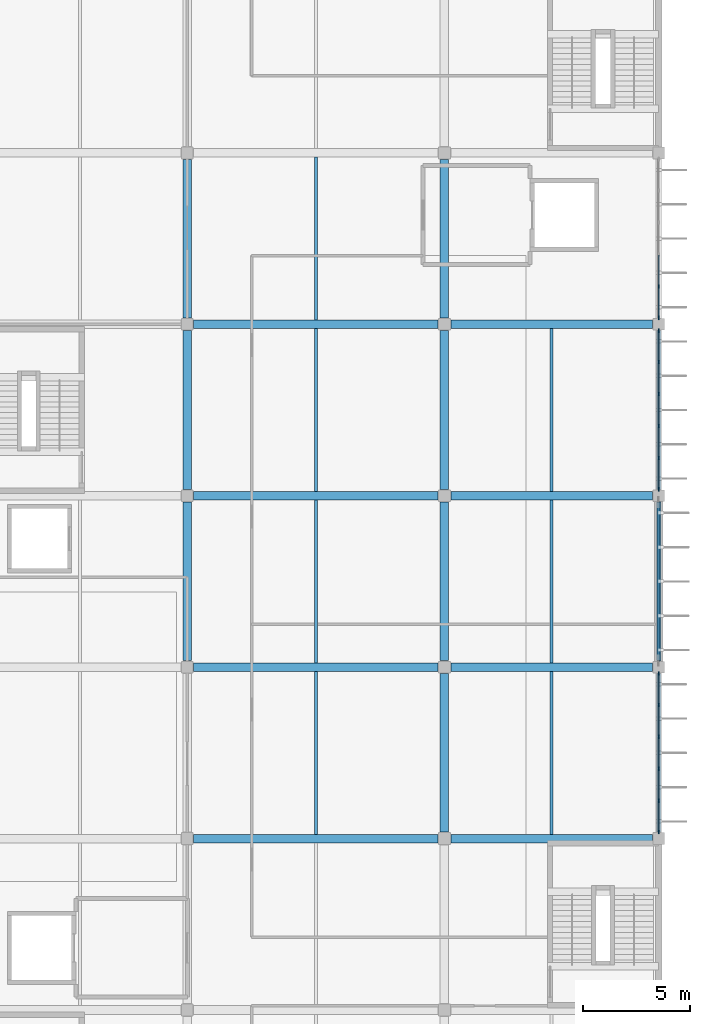
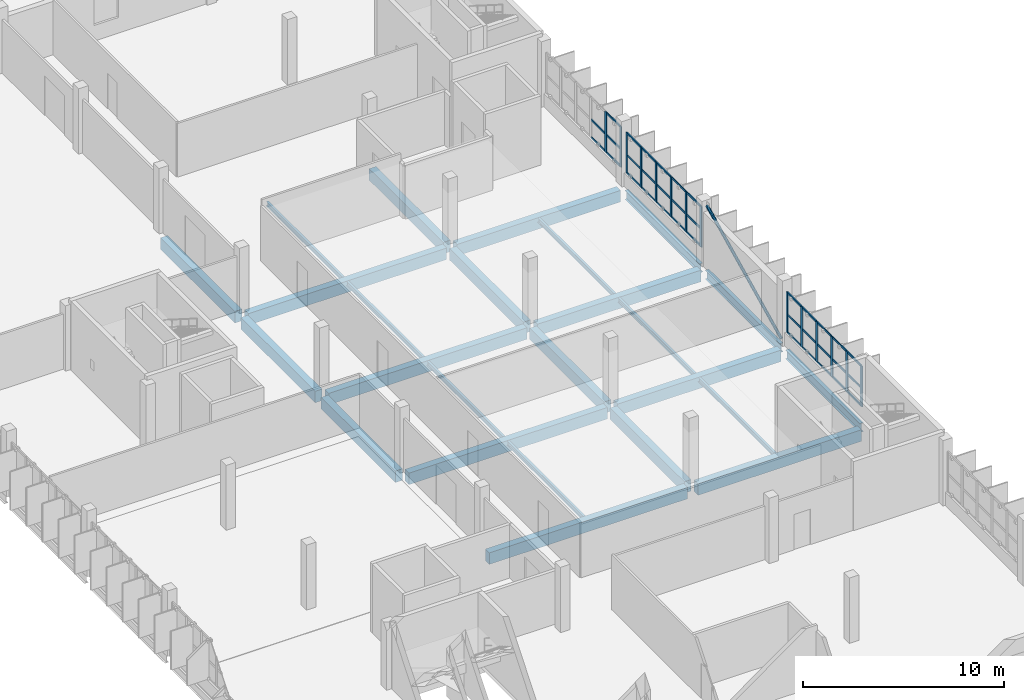
# One storey, part 16 of 38: 50 members, 25 beams, 3 elements without a shape of their own.
"""IFC4 building model written with IfcOpenShell, lengths in metres."""

from ifc_helpers import new_model, si_unit, direction, frame, origin, origin_2d, place, context, subcontext, project, spatial, rectangle, hollow_circle, i_section, extrude, material, layer, layer_set, material_profile, profile_set, type_object, element, aggregate, save


model = new_model("IFC4")

# Units and contexts
model_context = context("Model", 3, precision=1e-05, world=origin(), true_north=direction((0.0, 1.0)))
body_context = subcontext(model_context, "Body", "Model", "MODEL_VIEW")
ifc_project = project(units=[si_unit("LENGTHUNIT", "METRE"), si_unit("AREAUNIT", "SQUARE_METRE"), si_unit("VOLUMEUNIT", "CUBIC_METRE"), si_unit("PLANEANGLEUNIT", "RADIAN"), si_unit("MASSUNIT", "GRAM", prefix="KILO")], contexts=[model_context])

# Site, building, storey
site_placement = place(None, origin())
site = spatial("IfcSite", under=ifc_project, at=site_placement, CompositionType="ELEMENT")
building_placement = place(site_placement, origin())
building = spatial("IfcBuilding", under=site, at=building_placement, Name="Drelvana Railside Aquatics Centre", CompositionType="ELEMENT")
storey_placement = place(building_placement, frame((0.0, 0.0, 14.39990234375)))
storey = spatial("IfcBuildingStorey", under=building, at=storey_placement, Name="L03", CompositionType="ELEMENT", Elevation=14.39990234375)

# Curtain wall, members
ifc_material_1 = material(Name="Bronze-anodised aluminium curtain wall", Category="aluminium")
ifc_layer = layer(ifc_material_1, 0.175048828125, Name="Bronze-anodised aluminium curtain wall")
ifc_layer_set = layer_set([ifc_layer], Name="Bronze-anodised aluminium curtain wall")
curtain_wall_type = type_object("IfcCurtainWallType", Name="CW-Z6-WING", PredefinedType="NOTDEFINED", material=ifc_layer_set)
curtain_wall_1_placement = place(storey_placement, origin())
curtain_wall_1 = element("IfcCurtainWall", 1, at=curtain_wall_1_placement, inside=storey, type_object=curtain_wall_type, Name="Curtain wall CW-06-173", PredefinedType="NOTDEFINED")
ifc_material_2 = material(Name="Bronze-anodised aluminium 6063-T6", Category="aluminium")
ifc_material_profile_1 = material_profile(ifc_material_2, rectangle(XDim=0.06494140625, YDim=0.175048828125, at=origin_2d()), Name="ALU-M 65x175")
ifc_profile_set_1 = profile_set([ifc_material_profile_1], Name="Bronze-anodised aluminium 6063-T6")
member_type_1 = type_object("IfcMemberType", Name="CW-Z6-WING-MUL", PredefinedType="MULLION", material=ifc_profile_set_1)
member_1_placement = place(storey_placement, frame((184.0, 40.301513671875, 0.794189453125), z_axis=(0.0, 0.0, 1.0), x_axis=(-1.0, 0.0, 0.0)))
member_1 = element("IfcMember", 2, at=member_1_placement, type_object=member_type_1, Name="CW-06 mullion 1", PredefinedType="MULLION", context=body_context, shape_type="SweptSolid", body=[
    extrude(rectangle(XDim=0.06494140625, YDim=0.175048828125, at=origin_2d()), origin(), (0.0, 0.0, 1.0), 2.455810546875),
])
member_2_placement = place(storey_placement, frame((184.0, 41.761474609375, 0.794189453125), z_axis=(0.0, 0.0, 1.0), x_axis=(-1.0, 0.0, 0.0)))
member_2 = element("IfcMember", 3, at=member_2_placement, type_object=member_type_1, Name="CW-06 mullion 2", PredefinedType="MULLION", context=body_context, shape_type="SweptSolid", body=[
    extrude(rectangle(XDim=0.06494140625, YDim=0.175048828125, at=origin_2d()), origin(), (0.0, 0.0, 1.0), 2.455810546875),
])
member_3_placement = place(storey_placement, frame((184.0, 43.25390625, 0.794189453125), z_axis=(0.0, 0.0, 1.0), x_axis=(-1.0, 0.0, 0.0)))
member_3 = element("IfcMember", 4, at=member_3_placement, type_object=member_type_1, Name="CW-06 mullion 3", PredefinedType="MULLION", context=body_context, shape_type="SweptSolid", body=[
    extrude(rectangle(XDim=0.06494140625, YDim=0.175048828125, at=origin_2d()), origin(), (0.0, 0.0, 1.0), 2.455810546875),
])
member_4_placement = place(storey_placement, frame((184.0, 44.74609375, 0.794189453125), z_axis=(0.0, 0.0, 1.0), x_axis=(-1.0, 0.0, 0.0)))
member_4 = element("IfcMember", 5, at=member_4_placement, type_object=member_type_1, Name="CW-06 mullion 4", PredefinedType="MULLION", context=body_context, shape_type="SweptSolid", body=[
    extrude(rectangle(XDim=0.06494140625, YDim=0.175048828125, at=origin_2d()), origin(), (0.0, 0.0, 1.0), 2.455810546875),
])
member_5_placement = place(storey_placement, frame((184.0, 46.238525390625, 0.794189453125), z_axis=(0.0, 0.0, 1.0), x_axis=(-1.0, 0.0, 0.0)))
member_5 = element("IfcMember", 6, at=member_5_placement, type_object=member_type_1, Name="CW-06 mullion 5", PredefinedType="MULLION", context=body_context, shape_type="SweptSolid", body=[
    extrude(rectangle(XDim=0.06494140625, YDim=0.175048828125, at=origin_2d()), origin(), (0.0, 0.0, 1.0), 2.455810546875),
])
member_6_placement = place(storey_placement, frame((184.0, 47.698486328125, 0.794189453125), z_axis=(0.0, 0.0, 1.0), x_axis=(-1.0, 0.0, 0.0)))
member_6 = element("IfcMember", 7, at=member_6_placement, type_object=member_type_1, Name="CW-06 mullion 6", PredefinedType="MULLION", context=body_context, shape_type="SweptSolid", body=[
    extrude(rectangle(XDim=0.06494140625, YDim=0.175048828125, at=origin_2d()), origin(), (0.0, 0.0, 1.0), 2.455810546875),
])

curtain_wall_2_placement = place(storey_placement, origin())
curtain_wall_2 = element("IfcCurtainWall", 8, at=curtain_wall_2_placement, inside=storey, type_object=curtain_wall_type, Name="Curtain wall CW-06-178", PredefinedType="NOTDEFINED")
member_7_placement = place(storey_placement, frame((184.0, 56.301513671875, 0.794189453125), z_axis=(0.0, 0.0, 1.0), x_axis=(-1.0, 0.0, 0.0)))
member_7 = element("IfcMember", 9, at=member_7_placement, type_object=member_type_1, Name="CW-06 mullion 1", PredefinedType="MULLION", context=body_context, shape_type="SweptSolid", body=[
    extrude(rectangle(XDim=0.06494140625, YDim=0.175048828125, at=origin_2d()), origin(), (0.0, 0.0, 1.0), 2.455810546875),
])
member_8_placement = place(storey_placement, frame((184.0, 57.761474609375, 0.794189453125), z_axis=(0.0, 0.0, 1.0), x_axis=(-1.0, 0.0, 0.0)))
member_8 = element("IfcMember", 10, at=member_8_placement, type_object=member_type_1, Name="CW-06 mullion 2", PredefinedType="MULLION", context=body_context, shape_type="SweptSolid", body=[
    extrude(rectangle(XDim=0.06494140625, YDim=0.175048828125, at=origin_2d()), origin(), (0.0, 0.0, 1.0), 2.455810546875),
])
member_9_placement = place(storey_placement, frame((184.0, 59.25390625, 0.794189453125), z_axis=(0.0, 0.0, 1.0), x_axis=(-1.0, 0.0, 0.0)))
member_9 = element("IfcMember", 11, at=member_9_placement, type_object=member_type_1, Name="CW-06 mullion 3", PredefinedType="MULLION", context=body_context, shape_type="SweptSolid", body=[
    extrude(rectangle(XDim=0.06494140625, YDim=0.175048828125, at=origin_2d()), origin(), (0.0, 0.0, 1.0), 2.455810546875),
])
member_10_placement = place(storey_placement, frame((184.0, 60.74609375, 0.794189453125), z_axis=(0.0, 0.0, 1.0), x_axis=(-1.0, 0.0, 0.0)))
member_10 = element("IfcMember", 12, at=member_10_placement, type_object=member_type_1, Name="CW-06 mullion 4", PredefinedType="MULLION", context=body_context, shape_type="SweptSolid", body=[
    extrude(rectangle(XDim=0.06494140625, YDim=0.175048828125, at=origin_2d()), origin(), (0.0, 0.0, 1.0), 2.455810546875),
])
member_11_placement = place(storey_placement, frame((184.0, 62.238525390625, 0.794189453125), z_axis=(0.0, 0.0, 1.0), x_axis=(-1.0, 0.0, 0.0)))
member_11 = element("IfcMember", 13, at=member_11_placement, type_object=member_type_1, Name="CW-06 mullion 5", PredefinedType="MULLION", context=body_context, shape_type="SweptSolid", body=[
    extrude(rectangle(XDim=0.06494140625, YDim=0.175048828125, at=origin_2d()), origin(), (0.0, 0.0, 1.0), 2.455810546875),
])
member_12_placement = place(storey_placement, frame((184.0, 63.698486328125, 0.794189453125), z_axis=(0.0, 0.0, 1.0), x_axis=(-1.0, 0.0, 0.0)))
member_12 = element("IfcMember", 14, at=member_12_placement, type_object=member_type_1, Name="CW-06 mullion 6", PredefinedType="MULLION", context=body_context, shape_type="SweptSolid", body=[
    extrude(rectangle(XDim=0.06494140625, YDim=0.175048828125, at=origin_2d()), origin(), (0.0, 0.0, 1.0), 2.455810546875),
])

curtain_wall_3_placement = place(storey_placement, origin())
curtain_wall_3 = element("IfcCurtainWall", 15, at=curtain_wall_3_placement, inside=storey, type_object=curtain_wall_type, Name="Curtain wall CW-06-182", PredefinedType="NOTDEFINED")
member_13_placement = place(storey_placement, frame((184.0, 64.301513671875, 0.794189453125), z_axis=(0.0, 0.0, 1.0), x_axis=(-1.0, 0.0, 0.0)))
member_13 = element("IfcMember", 16, at=member_13_placement, type_object=member_type_1, Name="CW-06 mullion 1", PredefinedType="MULLION", context=body_context, shape_type="SweptSolid", body=[
    extrude(rectangle(XDim=0.06494140625, YDim=0.175048828125, at=origin_2d()), origin(), (0.0, 0.0, 1.0), 2.455810546875),
])
member_14_placement = place(storey_placement, frame((184.0, 65.761474609375, 0.794189453125), z_axis=(0.0, 0.0, 1.0), x_axis=(-1.0, 0.0, 0.0)))
member_14 = element("IfcMember", 17, at=member_14_placement, type_object=member_type_1, Name="CW-06 mullion 2", PredefinedType="MULLION", context=body_context, shape_type="SweptSolid", body=[
    extrude(rectangle(XDim=0.06494140625, YDim=0.175048828125, at=origin_2d()), origin(), (0.0, 0.0, 1.0), 2.455810546875),
])

# Member
ifc_material_profile_2 = material_profile(ifc_material_2, rectangle(XDim=0.1201171875, YDim=0.06005859375, at=origin_2d()), Name="ALU-T 60x120")
ifc_profile_set_2 = profile_set([ifc_material_profile_2], Name="Bronze-anodised aluminium 6063-T6")
member_type_2 = type_object("IfcMemberType", Name="CW-Z6-WING-TRN", PredefinedType="USERDEFINED", material=ifc_profile_set_2)
member_15_placement = place(storey_placement, frame((184.0, 40.3291015625, 0.82421875), z_axis=(0.0, 1.0, 0.0), x_axis=(0.0, 0.0, 1.0)))
member_15 = element("IfcMember", 18, at=member_15_placement, type_object=member_type_2, Name="CW-06 transom 1.1", ObjectType="TRANSOM", PredefinedType="USERDEFINED", context=body_context, shape_type="SweptSolid", body=[
    extrude(rectangle(XDim=0.1201171875, YDim=0.06005859375, at=origin_2d()), origin(), (0.0, 0.0, 1.0), 1.40478515625),
])

member_16_placement = place(storey_placement, frame((184.0, 40.3291015625, 1.899169921875), z_axis=(0.0, 1.0, 0.0), x_axis=(0.0, 0.0, 1.0)))
member_16 = element("IfcMember", 19, at=member_16_placement, type_object=member_type_2, Name="CW-06 transom 1.2", ObjectType="TRANSOM", PredefinedType="USERDEFINED", context=body_context, shape_type="SweptSolid", body=[
    extrude(rectangle(XDim=0.1201171875, YDim=0.06005859375, at=origin_2d()), origin(), (0.0, 0.0, 1.0), 1.40478515625),
])

member_17_placement = place(storey_placement, frame((184.0, 40.3291015625, 3.22021484375), z_axis=(0.0, 1.0, 0.0), x_axis=(0.0, 0.0, 1.0)))
member_17 = element("IfcMember", 20, at=member_17_placement, type_object=member_type_2, Name="CW-06 transom 1.3", ObjectType="TRANSOM", PredefinedType="USERDEFINED", context=body_context, shape_type="SweptSolid", body=[
    extrude(rectangle(XDim=0.1201171875, YDim=0.06005859375, at=origin_2d()), origin(), (0.0, 0.0, 1.0), 1.40478515625),
])

member_18_placement = place(storey_placement, frame((184.0, 41.788818359375, 0.82421875), z_axis=(0.0, 1.0, 0.0), x_axis=(0.0, 0.0, 1.0)))
member_18 = element("IfcMember", 21, at=member_18_placement, type_object=member_type_2, Name="CW-06 transom 2.1", ObjectType="TRANSOM", PredefinedType="USERDEFINED", context=body_context, shape_type="SweptSolid", body=[
    extrude(rectangle(XDim=0.1201171875, YDim=0.06005859375, at=origin_2d()), origin(), (0.0, 0.0, 1.0), 1.4375),
])

member_19_placement = place(storey_placement, frame((184.0, 41.788818359375, 1.899169921875), z_axis=(0.0, 1.0, 0.0), x_axis=(0.0, 0.0, 1.0)))
member_19 = element("IfcMember", 22, at=member_19_placement, type_object=member_type_2, Name="CW-06 transom 2.2", ObjectType="TRANSOM", PredefinedType="USERDEFINED", context=body_context, shape_type="SweptSolid", body=[
    extrude(rectangle(XDim=0.1201171875, YDim=0.06005859375, at=origin_2d()), origin(), (0.0, 0.0, 1.0), 1.4375),
])

member_20_placement = place(storey_placement, frame((184.0, 41.788818359375, 3.22021484375), z_axis=(0.0, 1.0, 0.0), x_axis=(0.0, 0.0, 1.0)))
member_20 = element("IfcMember", 23, at=member_20_placement, type_object=member_type_2, Name="CW-06 transom 2.3", ObjectType="TRANSOM", PredefinedType="USERDEFINED", context=body_context, shape_type="SweptSolid", body=[
    extrude(rectangle(XDim=0.1201171875, YDim=0.06005859375, at=origin_2d()), origin(), (0.0, 0.0, 1.0), 1.4375),
])

member_21_placement = place(storey_placement, frame((184.0, 43.28125, 0.82421875), z_axis=(0.0, 1.0, 0.0), x_axis=(0.0, 0.0, 1.0)))
member_21 = element("IfcMember", 24, at=member_21_placement, type_object=member_type_2, Name="CW-06 transom 3.1", ObjectType="TRANSOM", PredefinedType="USERDEFINED", context=body_context, shape_type="SweptSolid", body=[
    extrude(rectangle(XDim=0.1201171875, YDim=0.06005859375, at=origin_2d()), origin(), (0.0, 0.0, 1.0), 1.4375),
])

member_22_placement = place(storey_placement, frame((184.0, 43.28125, 1.899169921875), z_axis=(0.0, 1.0, 0.0), x_axis=(0.0, 0.0, 1.0)))
member_22 = element("IfcMember", 25, at=member_22_placement, type_object=member_type_2, Name="CW-06 transom 3.2", ObjectType="TRANSOM", PredefinedType="USERDEFINED", context=body_context, shape_type="SweptSolid", body=[
    extrude(rectangle(XDim=0.1201171875, YDim=0.06005859375, at=origin_2d()), origin(), (0.0, 0.0, 1.0), 1.4375),
])

member_23_placement = place(storey_placement, frame((184.0, 43.28125, 3.22021484375), z_axis=(0.0, 1.0, 0.0), x_axis=(0.0, 0.0, 1.0)))
member_23 = element("IfcMember", 26, at=member_23_placement, type_object=member_type_2, Name="CW-06 transom 3.3", ObjectType="TRANSOM", PredefinedType="USERDEFINED", context=body_context, shape_type="SweptSolid", body=[
    extrude(rectangle(XDim=0.1201171875, YDim=0.06005859375, at=origin_2d()), origin(), (0.0, 0.0, 1.0), 1.4375),
])

member_24_placement = place(storey_placement, frame((184.0, 44.773681640625, 0.82421875), z_axis=(0.0, 1.0, 0.0), x_axis=(0.0, 0.0, 1.0)))
member_24 = element("IfcMember", 27, at=member_24_placement, type_object=member_type_2, Name="CW-06 transom 4.1", ObjectType="TRANSOM", PredefinedType="USERDEFINED", context=body_context, shape_type="SweptSolid", body=[
    extrude(rectangle(XDim=0.1201171875, YDim=0.06005859375, at=origin_2d()), origin(), (0.0, 0.0, 1.0), 1.4375),
])

member_25_placement = place(storey_placement, frame((184.0, 44.773681640625, 1.899169921875), z_axis=(0.0, 1.0, 0.0), x_axis=(0.0, 0.0, 1.0)))
member_25 = element("IfcMember", 28, at=member_25_placement, type_object=member_type_2, Name="CW-06 transom 4.2", ObjectType="TRANSOM", PredefinedType="USERDEFINED", context=body_context, shape_type="SweptSolid", body=[
    extrude(rectangle(XDim=0.1201171875, YDim=0.06005859375, at=origin_2d()), origin(), (0.0, 0.0, 1.0), 1.4375),
])

member_26_placement = place(storey_placement, frame((184.0, 44.773681640625, 3.22021484375), z_axis=(0.0, 1.0, 0.0), x_axis=(0.0, 0.0, 1.0)))
member_26 = element("IfcMember", 29, at=member_26_placement, type_object=member_type_2, Name="CW-06 transom 4.3", ObjectType="TRANSOM", PredefinedType="USERDEFINED", context=body_context, shape_type="SweptSolid", body=[
    extrude(rectangle(XDim=0.1201171875, YDim=0.06005859375, at=origin_2d()), origin(), (0.0, 0.0, 1.0), 1.4375),
])

member_27_placement = place(storey_placement, frame((184.0, 46.26611328125, 0.82421875), z_axis=(0.0, 1.0, 0.0), x_axis=(0.0, 0.0, 1.0)))
member_27 = element("IfcMember", 30, at=member_27_placement, type_object=member_type_2, Name="CW-06 transom 5.1", ObjectType="TRANSOM", PredefinedType="USERDEFINED", context=body_context, shape_type="SweptSolid", body=[
    extrude(rectangle(XDim=0.1201171875, YDim=0.06005859375, at=origin_2d()), origin(), (0.0, 0.0, 1.0), 1.40478515625),
])

member_28_placement = place(storey_placement, frame((184.0, 46.26611328125, 1.899169921875), z_axis=(0.0, 1.0, 0.0), x_axis=(0.0, 0.0, 1.0)))
member_28 = element("IfcMember", 31, at=member_28_placement, type_object=member_type_2, Name="CW-06 transom 5.2", ObjectType="TRANSOM", PredefinedType="USERDEFINED", context=body_context, shape_type="SweptSolid", body=[
    extrude(rectangle(XDim=0.1201171875, YDim=0.06005859375, at=origin_2d()), origin(), (0.0, 0.0, 1.0), 1.40478515625),
])

member_29_placement = place(storey_placement, frame((184.0, 46.26611328125, 3.22021484375), z_axis=(0.0, 1.0, 0.0), x_axis=(0.0, 0.0, 1.0)))
member_29 = element("IfcMember", 32, at=member_29_placement, type_object=member_type_2, Name="CW-06 transom 5.3", ObjectType="TRANSOM", PredefinedType="USERDEFINED", context=body_context, shape_type="SweptSolid", body=[
    extrude(rectangle(XDim=0.1201171875, YDim=0.06005859375, at=origin_2d()), origin(), (0.0, 0.0, 1.0), 1.40478515625),
])

aggregate(curtain_wall_1, [member_1, member_2, member_3, member_4, member_5, member_6, member_15, member_16, member_17, member_18, member_19, member_20, member_21, member_22, member_23, member_24, member_25, member_26, member_27, member_28, member_29])

member_30_placement = place(storey_placement, frame((184.0, 56.3291015625, 0.82421875), z_axis=(0.0, 1.0, 0.0), x_axis=(0.0, 0.0, 1.0)))
member_30 = element("IfcMember", 33, at=member_30_placement, type_object=member_type_2, Name="CW-06 transom 1.1", ObjectType="TRANSOM", PredefinedType="USERDEFINED", context=body_context, shape_type="SweptSolid", body=[
    extrude(rectangle(XDim=0.1201171875, YDim=0.06005859375, at=origin_2d()), origin(), (0.0, 0.0, 1.0), 1.40478515625),
])

member_31_placement = place(storey_placement, frame((184.0, 56.3291015625, 1.899169921875), z_axis=(0.0, 1.0, 0.0), x_axis=(0.0, 0.0, 1.0)))
member_31 = element("IfcMember", 34, at=member_31_placement, type_object=member_type_2, Name="CW-06 transom 1.2", ObjectType="TRANSOM", PredefinedType="USERDEFINED", context=body_context, shape_type="SweptSolid", body=[
    extrude(rectangle(XDim=0.1201171875, YDim=0.06005859375, at=origin_2d()), origin(), (0.0, 0.0, 1.0), 1.40478515625),
])

member_32_placement = place(storey_placement, frame((184.0, 56.3291015625, 3.22021484375), z_axis=(0.0, 1.0, 0.0), x_axis=(0.0, 0.0, 1.0)))
member_32 = element("IfcMember", 35, at=member_32_placement, type_object=member_type_2, Name="CW-06 transom 1.3", ObjectType="TRANSOM", PredefinedType="USERDEFINED", context=body_context, shape_type="SweptSolid", body=[
    extrude(rectangle(XDim=0.1201171875, YDim=0.06005859375, at=origin_2d()), origin(), (0.0, 0.0, 1.0), 1.40478515625),
])

member_33_placement = place(storey_placement, frame((184.0, 57.788818359375, 0.82421875), z_axis=(0.0, 1.0, 0.0), x_axis=(0.0, 0.0, 1.0)))
member_33 = element("IfcMember", 36, at=member_33_placement, type_object=member_type_2, Name="CW-06 transom 2.1", ObjectType="TRANSOM", PredefinedType="USERDEFINED", context=body_context, shape_type="SweptSolid", body=[
    extrude(rectangle(XDim=0.1201171875, YDim=0.06005859375, at=origin_2d()), origin(), (0.0, 0.0, 1.0), 1.4375),
])

member_34_placement = place(storey_placement, frame((184.0, 57.788818359375, 1.899169921875), z_axis=(0.0, 1.0, 0.0), x_axis=(0.0, 0.0, 1.0)))
member_34 = element("IfcMember", 37, at=member_34_placement, type_object=member_type_2, Name="CW-06 transom 2.2", ObjectType="TRANSOM", PredefinedType="USERDEFINED", context=body_context, shape_type="SweptSolid", body=[
    extrude(rectangle(XDim=0.1201171875, YDim=0.06005859375, at=origin_2d()), origin(), (0.0, 0.0, 1.0), 1.4375),
])

member_35_placement = place(storey_placement, frame((184.0, 57.788818359375, 3.22021484375), z_axis=(0.0, 1.0, 0.0), x_axis=(0.0, 0.0, 1.0)))
member_35 = element("IfcMember", 38, at=member_35_placement, type_object=member_type_2, Name="CW-06 transom 2.3", ObjectType="TRANSOM", PredefinedType="USERDEFINED", context=body_context, shape_type="SweptSolid", body=[
    extrude(rectangle(XDim=0.1201171875, YDim=0.06005859375, at=origin_2d()), origin(), (0.0, 0.0, 1.0), 1.4375),
])

member_36_placement = place(storey_placement, frame((184.0, 59.28125, 0.82421875), z_axis=(0.0, 1.0, 0.0), x_axis=(0.0, 0.0, 1.0)))
member_36 = element("IfcMember", 39, at=member_36_placement, type_object=member_type_2, Name="CW-06 transom 3.1", ObjectType="TRANSOM", PredefinedType="USERDEFINED", context=body_context, shape_type="SweptSolid", body=[
    extrude(rectangle(XDim=0.1201171875, YDim=0.06005859375, at=origin_2d()), origin(), (0.0, 0.0, 1.0), 1.4375),
])

member_37_placement = place(storey_placement, frame((184.0, 59.28125, 1.899169921875), z_axis=(0.0, 1.0, 0.0), x_axis=(0.0, 0.0, 1.0)))
member_37 = element("IfcMember", 40, at=member_37_placement, type_object=member_type_2, Name="CW-06 transom 3.2", ObjectType="TRANSOM", PredefinedType="USERDEFINED", context=body_context, shape_type="SweptSolid", body=[
    extrude(rectangle(XDim=0.1201171875, YDim=0.06005859375, at=origin_2d()), origin(), (0.0, 0.0, 1.0), 1.4375),
])

member_38_placement = place(storey_placement, frame((184.0, 59.28125, 3.22021484375), z_axis=(0.0, 1.0, 0.0), x_axis=(0.0, 0.0, 1.0)))
member_38 = element("IfcMember", 41, at=member_38_placement, type_object=member_type_2, Name="CW-06 transom 3.3", ObjectType="TRANSOM", PredefinedType="USERDEFINED", context=body_context, shape_type="SweptSolid", body=[
    extrude(rectangle(XDim=0.1201171875, YDim=0.06005859375, at=origin_2d()), origin(), (0.0, 0.0, 1.0), 1.4375),
])

member_39_placement = place(storey_placement, frame((184.0, 60.773681640625, 0.82421875), z_axis=(0.0, 1.0, 0.0), x_axis=(0.0, 0.0, 1.0)))
member_39 = element("IfcMember", 42, at=member_39_placement, type_object=member_type_2, Name="CW-06 transom 4.1", ObjectType="TRANSOM", PredefinedType="USERDEFINED", context=body_context, shape_type="SweptSolid", body=[
    extrude(rectangle(XDim=0.1201171875, YDim=0.06005859375, at=origin_2d()), origin(), (0.0, 0.0, 1.0), 1.4375),
])

member_40_placement = place(storey_placement, frame((184.0, 60.773681640625, 1.899169921875), z_axis=(0.0, 1.0, 0.0), x_axis=(0.0, 0.0, 1.0)))
member_40 = element("IfcMember", 43, at=member_40_placement, type_object=member_type_2, Name="CW-06 transom 4.2", ObjectType="TRANSOM", PredefinedType="USERDEFINED", context=body_context, shape_type="SweptSolid", body=[
    extrude(rectangle(XDim=0.1201171875, YDim=0.06005859375, at=origin_2d()), origin(), (0.0, 0.0, 1.0), 1.4375),
])

member_41_placement = place(storey_placement, frame((184.0, 60.773681640625, 3.22021484375), z_axis=(0.0, 1.0, 0.0), x_axis=(0.0, 0.0, 1.0)))
member_41 = element("IfcMember", 44, at=member_41_placement, type_object=member_type_2, Name="CW-06 transom 4.3", ObjectType="TRANSOM", PredefinedType="USERDEFINED", context=body_context, shape_type="SweptSolid", body=[
    extrude(rectangle(XDim=0.1201171875, YDim=0.06005859375, at=origin_2d()), origin(), (0.0, 0.0, 1.0), 1.4375),
])

member_42_placement = place(storey_placement, frame((184.0, 62.26611328125, 0.82421875), z_axis=(0.0, 1.0, 0.0), x_axis=(0.0, 0.0, 1.0)))
member_42 = element("IfcMember", 45, at=member_42_placement, type_object=member_type_2, Name="CW-06 transom 5.1", ObjectType="TRANSOM", PredefinedType="USERDEFINED", context=body_context, shape_type="SweptSolid", body=[
    extrude(rectangle(XDim=0.1201171875, YDim=0.06005859375, at=origin_2d()), origin(), (0.0, 0.0, 1.0), 1.40478515625),
])

member_43_placement = place(storey_placement, frame((184.0, 62.26611328125, 1.899169921875), z_axis=(0.0, 1.0, 0.0), x_axis=(0.0, 0.0, 1.0)))
member_43 = element("IfcMember", 46, at=member_43_placement, type_object=member_type_2, Name="CW-06 transom 5.2", ObjectType="TRANSOM", PredefinedType="USERDEFINED", context=body_context, shape_type="SweptSolid", body=[
    extrude(rectangle(XDim=0.1201171875, YDim=0.06005859375, at=origin_2d()), origin(), (0.0, 0.0, 1.0), 1.40478515625),
])

member_44_placement = place(storey_placement, frame((184.0, 62.26611328125, 3.22021484375), z_axis=(0.0, 1.0, 0.0), x_axis=(0.0, 0.0, 1.0)))
member_44 = element("IfcMember", 47, at=member_44_placement, type_object=member_type_2, Name="CW-06 transom 5.3", ObjectType="TRANSOM", PredefinedType="USERDEFINED", context=body_context, shape_type="SweptSolid", body=[
    extrude(rectangle(XDim=0.1201171875, YDim=0.06005859375, at=origin_2d()), origin(), (0.0, 0.0, 1.0), 1.40478515625),
])

aggregate(curtain_wall_2, [member_7, member_8, member_9, member_10, member_11, member_12, member_30, member_31, member_32, member_33, member_34, member_35, member_36, member_37, member_38, member_39, member_40, member_41, member_42, member_43, member_44])

member_45_placement = place(storey_placement, frame((184.0, 64.3291015625, 0.82421875), z_axis=(0.0, 1.0, 0.0), x_axis=(0.0, 0.0, 1.0)))
member_45 = element("IfcMember", 48, at=member_45_placement, type_object=member_type_2, Name="CW-06 transom 1.1", ObjectType="TRANSOM", PredefinedType="USERDEFINED", context=body_context, shape_type="SweptSolid", body=[
    extrude(rectangle(XDim=0.1201171875, YDim=0.06005859375, at=origin_2d()), origin(), (0.0, 0.0, 1.0), 1.40478515625),
])

member_46_placement = place(storey_placement, frame((184.0, 64.3291015625, 1.899169921875), z_axis=(0.0, 1.0, 0.0), x_axis=(0.0, 0.0, 1.0)))
member_46 = element("IfcMember", 49, at=member_46_placement, type_object=member_type_2, Name="CW-06 transom 1.2", ObjectType="TRANSOM", PredefinedType="USERDEFINED", context=body_context, shape_type="SweptSolid", body=[
    extrude(rectangle(XDim=0.1201171875, YDim=0.06005859375, at=origin_2d()), origin(), (0.0, 0.0, 1.0), 1.40478515625),
])

member_47_placement = place(storey_placement, frame((184.0, 64.3291015625, 3.22021484375), z_axis=(0.0, 1.0, 0.0), x_axis=(0.0, 0.0, 1.0)))
member_47 = element("IfcMember", 50, at=member_47_placement, type_object=member_type_2, Name="CW-06 transom 1.3", ObjectType="TRANSOM", PredefinedType="USERDEFINED", context=body_context, shape_type="SweptSolid", body=[
    extrude(rectangle(XDim=0.1201171875, YDim=0.06005859375, at=origin_2d()), origin(), (0.0, 0.0, 1.0), 1.40478515625),
])

member_48_placement = place(storey_placement, frame((184.0, 65.788818359375, 0.82421875), z_axis=(0.0, 1.0, 0.0), x_axis=(0.0, 0.0, 1.0)))
member_48 = element("IfcMember", 51, at=member_48_placement, type_object=member_type_2, Name="CW-06 transom 2.1", ObjectType="TRANSOM", PredefinedType="USERDEFINED", context=body_context, shape_type="SweptSolid", body=[
    extrude(rectangle(XDim=0.1201171875, YDim=0.06005859375, at=origin_2d()), origin(), (0.0, 0.0, 1.0), 1.4375),
])

member_49_placement = place(storey_placement, frame((184.0, 65.788818359375, 1.899169921875), z_axis=(0.0, 1.0, 0.0), x_axis=(0.0, 0.0, 1.0)))
member_49 = element("IfcMember", 52, at=member_49_placement, type_object=member_type_2, Name="CW-06 transom 2.2", ObjectType="TRANSOM", PredefinedType="USERDEFINED", context=body_context, shape_type="SweptSolid", body=[
    extrude(rectangle(XDim=0.1201171875, YDim=0.06005859375, at=origin_2d()), origin(), (0.0, 0.0, 1.0), 1.4375),
])

aggregate(curtain_wall_3, [member_13, member_14, member_45, member_46, member_47, member_48, member_49])

# Beams
ifc_material_3 = material(Name="Concrete C40/50", Category="concrete")
ifc_material_profile_3 = material_profile(ifc_material_3, rectangle(XDim=0.39990234375, YDim=0.699951171875, at=origin_2d()), Name="RC 400x700")
ifc_profile_set_3 = profile_set([ifc_material_profile_3], Name="Concrete C40/50")
beam_type_1 = type_object("IfcBeamType", Name="STR-BM-BM-03-RC-400x700", PredefinedType="BEAM", material=ifc_profile_set_3)
beam_1_placement = place(storey_placement, frame((162.300048828125, 40.0, -0.58984375), z_axis=(1.0, 0.0, 0.0), x_axis=(0.0, 1.0, 0.0)))
element("IfcBeam", 53, at=beam_1_placement, inside=storey, type_object=beam_type_1, Name="Girder BM-03 (L03)", PredefinedType="BEAM", context=body_context, shape_type="SweptSolid", body=[
    extrude(rectangle(XDim=0.39990234375, YDim=0.699951171875, at=origin_2d()), origin(), (0.0, 0.0, 1.0), 11.39990234375),
])
beam_2_placement = place(storey_placement, frame((174.300048828125, 40.0, -0.58984375), z_axis=(1.0, 0.0, 0.0), x_axis=(0.0, 1.0, 0.0)))
element("IfcBeam", 54, at=beam_2_placement, inside=storey, type_object=beam_type_1, Name="Girder BM-03 (L03)", PredefinedType="BEAM", context=body_context, shape_type="SweptSolid", body=[
    extrude(rectangle(XDim=0.39990234375, YDim=0.699951171875, at=origin_2d()), origin(), (0.0, 0.0, 1.0), 9.39990234375),
])
beam_3_placement = place(storey_placement, frame((162.300048828125, 48.0, -0.58984375), z_axis=(1.0, 0.0, 0.0), x_axis=(0.0, 1.0, 0.0)))
element("IfcBeam", 55, at=beam_3_placement, inside=storey, type_object=beam_type_1, Name="Girder BM-03 (L03)", PredefinedType="BEAM", context=body_context, shape_type="SweptSolid", body=[
    extrude(rectangle(XDim=0.39990234375, YDim=0.699951171875, at=origin_2d()), origin(), (0.0, 0.0, 1.0), 11.39990234375),
])
beam_4_placement = place(storey_placement, frame((174.300048828125, 48.0, -0.58984375), z_axis=(1.0, 0.0, 0.0), x_axis=(0.0, 1.0, 0.0)))
element("IfcBeam", 56, at=beam_4_placement, inside=storey, type_object=beam_type_1, Name="Girder BM-03 (L03)", PredefinedType="BEAM", context=body_context, shape_type="SweptSolid", body=[
    extrude(rectangle(XDim=0.39990234375, YDim=0.699951171875, at=origin_2d()), origin(), (0.0, 0.0, 1.0), 9.39990234375),
])
beam_5_placement = place(storey_placement, frame((162.300048828125, 56.0, -0.58984375), z_axis=(1.0, 0.0, 0.0), x_axis=(0.0, 1.0, 0.0)))
element("IfcBeam", 57, at=beam_5_placement, inside=storey, type_object=beam_type_1, Name="Girder BM-03 (L03)", PredefinedType="BEAM", context=body_context, shape_type="SweptSolid", body=[
    extrude(rectangle(XDim=0.39990234375, YDim=0.699951171875, at=origin_2d()), origin(), (0.0, 0.0, 1.0), 11.39990234375),
])
beam_6_placement = place(storey_placement, frame((174.300048828125, 56.0, -0.58984375), z_axis=(1.0, 0.0, 0.0), x_axis=(0.0, 1.0, 0.0)))
element("IfcBeam", 58, at=beam_6_placement, inside=storey, type_object=beam_type_1, Name="Girder BM-03 (L03)", PredefinedType="BEAM", context=body_context, shape_type="SweptSolid", body=[
    extrude(rectangle(XDim=0.39990234375, YDim=0.699951171875, at=origin_2d()), origin(), (0.0, 0.0, 1.0), 9.39990234375),
])
beam_7_placement = place(storey_placement, frame((162.300048828125, 64.0, -0.58984375), z_axis=(1.0, 0.0, 0.0), x_axis=(0.0, 1.0, 0.0)))
element("IfcBeam", 59, at=beam_7_placement, inside=storey, type_object=beam_type_1, Name="Girder BM-03 (L03)", PredefinedType="BEAM", context=body_context, shape_type="SweptSolid", body=[
    extrude(rectangle(XDim=0.39990234375, YDim=0.699951171875, at=origin_2d()), origin(), (0.0, 0.0, 1.0), 11.39990234375),
])
beam_8_placement = place(storey_placement, frame((174.300048828125, 64.0, -0.58984375), z_axis=(1.0, 0.0, 0.0), x_axis=(0.0, 1.0, 0.0)))
element("IfcBeam", 60, at=beam_8_placement, inside=storey, type_object=beam_type_1, Name="Girder BM-03 (L03)", PredefinedType="BEAM", context=body_context, shape_type="SweptSolid", body=[
    extrude(rectangle(XDim=0.39990234375, YDim=0.699951171875, at=origin_2d()), origin(), (0.0, 0.0, 1.0), 9.39990234375),
])
for number, where, z_axis, x_axis, name in (
    (61, (162.0, 48.300048828125, -0.58984375), (0.0, 1.0, 0.0), (-1.0, 0.0, 0.0), "Girder BM-03 (L03)"),
    (62, (162.0, 56.300048828125, -0.58984375), (0.0, 1.0, 0.0), (-1.0, 0.0, 0.0), "Girder BM-03 (L03)"),
    (63, (162.0, 64.300048828125, -0.58984375), (0.0, 1.0, 0.0), (-1.0, 0.0, 0.0), "Girder BM-03 (L03)"),
    (64, (174.0, 40.300048828125, -0.58984375), (0.0, 1.0, 0.0), (-1.0, 0.0, 0.0), "Girder BM-03 (L03)"),
    (65, (174.0, 48.300048828125, -0.58984375), (0.0, 1.0, 0.0), (-1.0, 0.0, 0.0), "Girder BM-03 (L03)"),
    (66, (174.0, 56.300048828125, -0.58984375), (0.0, 1.0, 0.0), (-1.0, 0.0, 0.0), "Girder BM-03 (L03)"),
    (67, (174.0, 64.300048828125, -0.58984375), (0.0, 1.0, 0.0), (-1.0, 0.0, 0.0), "Girder BM-03 (L03)"),
):
    element("IfcBeam", number, at=place(storey_placement, frame(where, z_axis=z_axis, x_axis=x_axis)), inside=storey, type_object=beam_type_1, Name=name, PredefinedType="BEAM", context=body_context, shape_type="SweptSolid", body=[
        extrude(rectangle(XDim=0.39990234375, YDim=0.699951171875, at=origin_2d()), origin(), (0.0, 0.0, 1.0), 7.39990234375),
    ])

# Member
ifc_material_4 = material(Name="Structural steel S355", Category="steel")
ifc_material_profile_4 = material_profile(ifc_material_4, hollow_circle(Radius=0.084228515625, WallThickness=0.008056640625, at=origin_2d()), Name="CHS 168.3x8")
ifc_profile_set_4 = profile_set([ifc_material_profile_4], Name="Structural steel S355")
member_type_3 = type_object("IfcMemberType", Name="STR-MBR-BR-01", PredefinedType="BRACE", material=ifc_profile_set_4)
member_50_placement = place(storey_placement, frame((184.0, 48.300048828125, 0.050048828125), z_axis=(0.0, 0.899228149228, 0.437479983125), x_axis=(-1.0, 0.0, 0.0)))
element("IfcMember", 68, at=member_50_placement, inside=storey, type_object=member_type_3, Name="Lateral frame brace BR-10 (L03)", PredefinedType="BRACE", context=body_context, shape_type="SweptSolid", body=[
    extrude(hollow_circle(Radius=0.084228515625, WallThickness=0.008056640625, at=origin_2d()), origin(), (0.0, 0.0, 1.0), 8.229248046875),
])

# Beams
ifc_material_profile_5 = material_profile(ifc_material_4, i_section(OverallWidth=0.2099609375, OverallDepth=0.550048828125, WebThickness=0.010986328125, FlangeThickness=0.01708984375, at=origin_2d()), Name="IPE 550")
ifc_profile_set_5 = profile_set([ifc_material_profile_5], Name="Structural steel S355")
beam_type_2 = type_object("IfcBeamType", Name="STR-SBM-SB-04-IPE-550", PredefinedType="SPANDREL", material=ifc_profile_set_5)
for number, where, z_axis, x_axis, name in (
    (69, (184.0, 40.300048828125, -0.514892578125), (0.0, 1.0, 0.0), (-1.0, 0.0, 0.0), "Girder SB-04 (L03)"),
    (70, (184.0, 48.300048828125, -0.514892578125), (0.0, 1.0, 0.0), (-1.0, 0.0, 0.0), "Girder SB-04 (L03)"),
    (71, (184.0, 56.300048828125, -0.514892578125), (0.0, 1.0, 0.0), (-1.0, 0.0, 0.0), "Girder SB-04 (L03)"),
):
    element("IfcBeam", number, at=place(storey_placement, frame(where, z_axis=z_axis, x_axis=x_axis)), inside=storey, type_object=beam_type_2, Name=name, PredefinedType="SPANDREL", context=body_context, shape_type="SweptSolid", body=[
        extrude(i_section(OverallWidth=0.2099609375, OverallDepth=0.550048828125, WebThickness=0.010986328125, FlangeThickness=0.01708984375, at=origin_2d()), origin(), (0.0, 0.0, 1.0), 7.39990234375),
    ])
ifc_material_profile_6 = material_profile(ifc_material_4, i_section(OverallWidth=0.135009765625, OverallDepth=0.27001953125, WebThickness=0.006591796875, FlangeThickness=0.01025390625, at=origin_2d()), Name="IPE 270")
ifc_profile_set_6 = profile_set([ifc_material_profile_6], Name="Structural steel S355")
beam_type_3 = type_object("IfcBeamType", Name="STR-SBM-SJ-02-IPE-270", PredefinedType="JOIST", material=ifc_profile_set_6)
for number, where, z_axis, x_axis, name in (
    (72, (168.0, 40.199951171875, -0.375), (0.0, 1.0, 0.0), (-1.0, 0.0, 0.0), "Secondary floor joist SJ-02 (L03)"),
    (73, (168.0, 48.199951171875, -0.375), (0.0, 1.0, 0.0), (-1.0, 0.0, 0.0), "Secondary floor joist SJ-02 (L03)"),
    (74, (168.0, 56.199951171875, -0.375), (0.0, 1.0, 0.0), (-1.0, 0.0, 0.0), "Secondary floor joist SJ-02 (L03)"),
    (75, (168.0, 64.199951171875, -0.375), (0.0, 1.0, 0.0), (-1.0, 0.0, 0.0), "Secondary floor joist SJ-02 (L03)"),
    (76, (179.0, 40.199951171875, -0.375), (0.0, 1.0, 0.0), (-1.0, 0.0, 0.0), "Secondary floor joist SJ-02 (L03)"),
    (77, (179.0, 48.199951171875, -0.375), (0.0, 1.0, 0.0), (-1.0, 0.0, 0.0), "Secondary floor joist SJ-02 (L03)"),
    (78, (179.0, 56.199951171875, -0.375), (0.0, 1.0, 0.0), (-1.0, 0.0, 0.0), "Secondary floor joist SJ-02 (L03)"),
):
    element("IfcBeam", number, at=place(storey_placement, frame(where, z_axis=z_axis, x_axis=x_axis)), inside=storey, type_object=beam_type_3, Name=name, PredefinedType="JOIST", context=body_context, shape_type="SweptSolid", body=[
        extrude(i_section(OverallWidth=0.135009765625, OverallDepth=0.27001953125, WebThickness=0.006591796875, FlangeThickness=0.01025390625, at=origin_2d()), origin(), (0.0, 0.0, 1.0), 7.60009765625),
    ])

save(model, "model.ifc")
